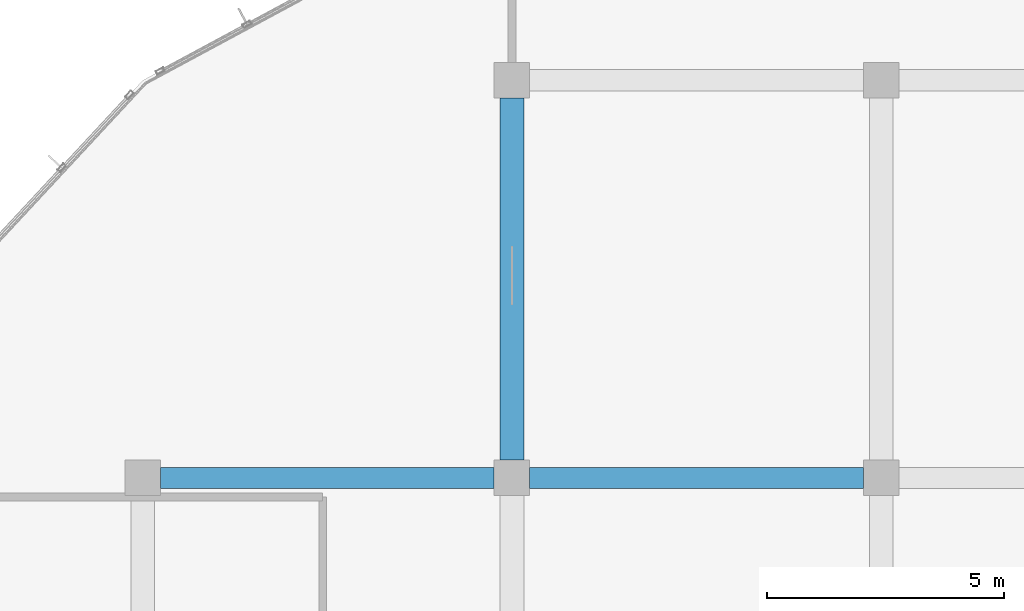
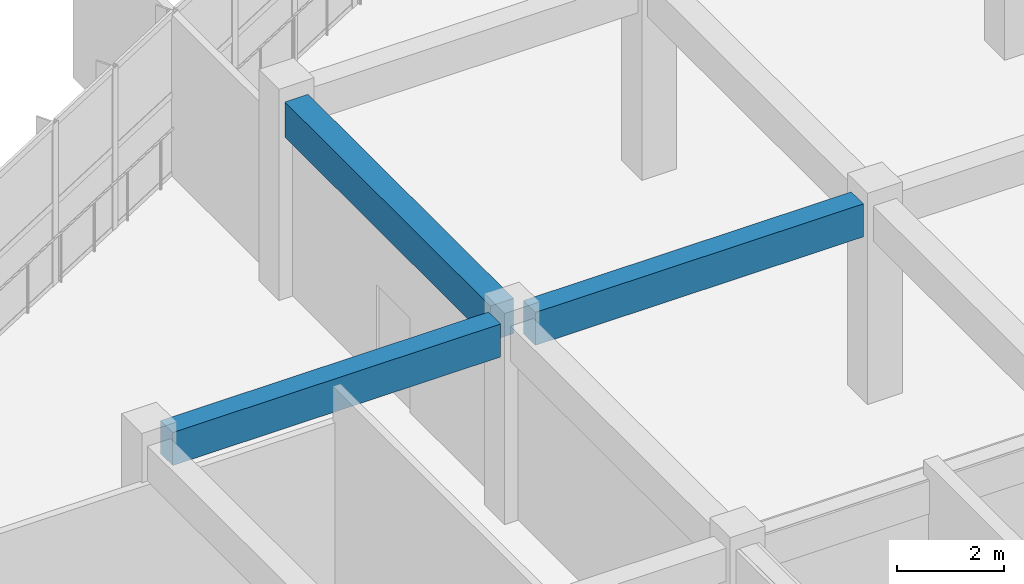
# One storey, part 57 of 175: 3 beams.
"""IFC4 building model written with IfcOpenShell, lengths in metres."""

from ifc_helpers import new_model, si_unit, direction, frame, origin, origin_2d, place, context, subcontext, project, spatial, rectangle, extrude, material, material_profile, profile_set, type_object, element, save


model = new_model("IFC4")

# Units and contexts
model_context = context("Model", 3, precision=1e-05, world=origin(), true_north=direction((0.0, 1.0)))
body_context = subcontext(model_context, "Body", "Model", "MODEL_VIEW")
ifc_project = project(units=[si_unit("LENGTHUNIT", "METRE"), si_unit("AREAUNIT", "SQUARE_METRE"), si_unit("VOLUMEUNIT", "CUBIC_METRE"), si_unit("PLANEANGLEUNIT", "RADIAN"), si_unit("MASSUNIT", "GRAM", prefix="KILO")], contexts=[model_context])

# Site, building, storey
site_placement = place(None, origin())
site = spatial("IfcSite", under=ifc_project, at=site_placement, CompositionType="ELEMENT")
building_placement = place(site_placement, origin())
building = spatial("IfcBuilding", under=site, at=building_placement, Name="Zizhar Promenade General Hospital", CompositionType="ELEMENT")
storey_placement = place(building_placement, frame((0.0, 0.0, 4.800048828125)))
storey = spatial("IfcBuildingStorey", under=building, at=storey_placement, Name="L01", CompositionType="ELEMENT", Elevation=4.800048828125)

# Beams
ifc_material_1 = material(Name="Concrete C35/45", Category="concrete")
ifc_material_profile_1 = material_profile(ifc_material_1, rectangle(XDim=0.449951171875, YDim=0.75, at=origin_2d()))
ifc_profile_set_1 = profile_set([ifc_material_profile_1], Name="Concrete C35/45")
beam_type_1 = type_object("IfcBeamType", Name="BM-RC-450x750", PredefinedType="BEAM", material=ifc_profile_set_1)
beam_1_placement = place(storey_placement, frame((15.97509765625, 67.199951171875, 4.094970703125), z_axis=(1.0, 0.0, 0.0), x_axis=(0.0, 1.0, 0.0)))
element("IfcBeam", 1, at=beam_1_placement, inside=storey, type_object=beam_type_1, Name="Grid Beam X L01 (2-8)", PredefinedType="BEAM", context=body_context, shape_type="SweptSolid", body=[
    extrude(rectangle(XDim=0.449951171875, YDim=0.75, at=origin_2d()), origin(), (0.0, 0.0, 1.0), 7.0498046875),
])
beam_2_placement = place(storey_placement, frame((23.77490234375, 67.199951171875, 4.094970703125), z_axis=(1.0, 0.0, 0.0), x_axis=(0.0, 1.0, 0.0)))
element("IfcBeam", 2, at=beam_2_placement, inside=storey, type_object=beam_type_1, Name="Grid Beam X L01 (3-8)", PredefinedType="BEAM", context=body_context, shape_type="SweptSolid", body=[
    extrude(rectangle(XDim=0.449951171875, YDim=0.75, at=origin_2d()), origin(), (0.0, 0.0, 1.0), 7.050048828125),
])
ifc_material_2 = material(Name="Concrete C35/45", Category="concrete")
ifc_material_profile_2 = material_profile(ifc_material_2, rectangle(XDim=0.5, YDim=0.800048828125, at=origin_2d()))
ifc_profile_set_2 = profile_set([ifc_material_profile_2], Name="Concrete C35/45")
beam_type_2 = type_object("IfcBeamType", Name="BM-RC-500x800", PredefinedType="BEAM", material=ifc_profile_set_2)
beam_3_placement = place(storey_placement, frame((23.39990234375, 67.574951171875, 4.070068359375), z_axis=(0.0, 1.0, 0.0), x_axis=(-1.0, 0.0, 0.0)))
element("IfcBeam", 3, at=beam_3_placement, inside=storey, type_object=beam_type_2, Name="Grid Beam Y L01 (3-8)", PredefinedType="BEAM", context=body_context, shape_type="SweptSolid", body=[
    extrude(rectangle(XDim=0.5, YDim=0.800048828125, at=origin_2d()), origin(), (0.0, 0.0, 1.0), 7.650146484375),
])

save(model, "model.ifc")
